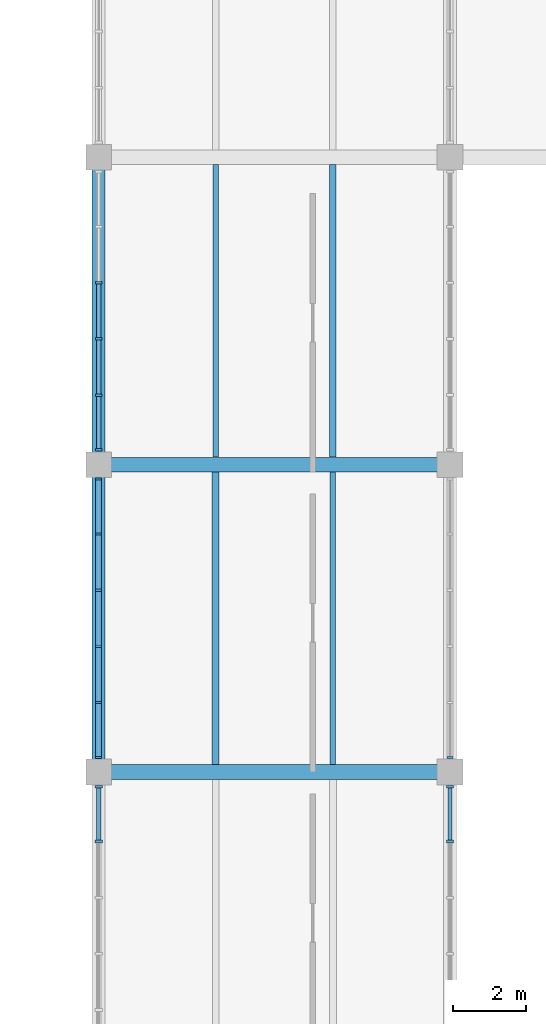
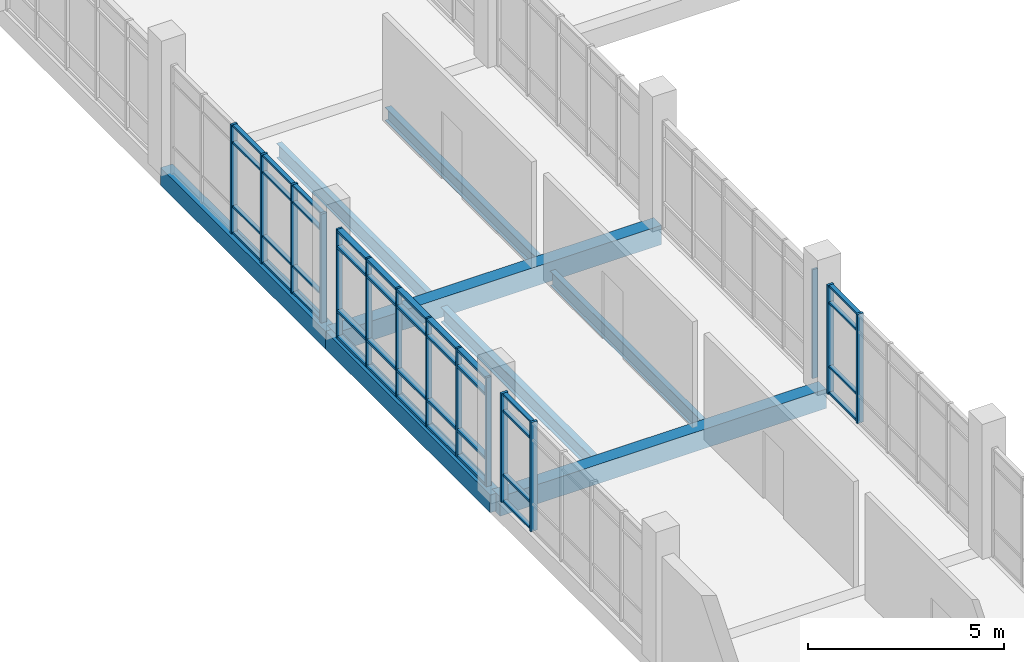
# One storey, part 11 of 57: 55 members, 8 beams, 5 elements without a shape of their own.
"""IFC4 building model written with IfcOpenShell, lengths in metres."""

from ifc_helpers import new_model, si_unit, direction, frame, origin, origin_2d, place, context, subcontext, project, spatial, rectangle, i_section, extrude, material, material_profile, profile_set, type_object, element, aggregate, save


model = new_model("IFC4")

# Units and contexts
model_context = context("Model", 3, precision=1e-05, world=origin(), true_north=direction((0.0, 1.0)))
body_context = subcontext(model_context, "Body", "Model", "MODEL_VIEW")
ifc_project = project(units=[si_unit("LENGTHUNIT", "METRE"), si_unit("AREAUNIT", "SQUARE_METRE"), si_unit("VOLUMEUNIT", "CUBIC_METRE"), si_unit("PLANEANGLEUNIT", "RADIAN"), si_unit("MASSUNIT", "GRAM", prefix="KILO")], contexts=[model_context])

# Site, building, storey
site_placement = place(None, origin())
site = spatial("IfcSite", under=ifc_project, at=site_placement, CompositionType="ELEMENT")
building_placement = place(site_placement, origin())
building = spatial("IfcBuilding", under=site, at=building_placement, Name="Oolite Switchyard Hospital", CompositionType="ELEMENT")
storey_placement = place(building_placement, frame((0.0, 0.0, 17.800048828125)))
storey = spatial("IfcBuildingStorey", under=building, at=storey_placement, Name="L04", CompositionType="ELEMENT", Elevation=17.800048828125)

# Beams
ifc_material_1 = material(Name="Concrete C40/50", Category="concrete")
ifc_material_profile_1 = material_profile(ifc_material_1, rectangle(XDim=0.35009765625, YDim=0.550048828125, at=origin_2d()), Name="RCB350X550")
ifc_profile_set_1 = profile_set([ifc_material_profile_1], Name="Concrete C40/50")
beam_type_1 = type_object("IfcBeamType", Name="BM-RC350X550", PredefinedType="BEAM", material=ifc_profile_set_1)
beam_1_placement = place(storey_placement, frame((134.39990234375, 42.0, -0.275146484375), z_axis=(0.0, 1.0, 0.0), x_axis=(-1.0, 0.0, 0.0)))
element("IfcBeam", 1, at=beam_1_placement, inside=storey, type_object=beam_type_1, Name="L04 Y-Girder 2980", PredefinedType="BEAM", context=body_context, shape_type="SweptSolid", body=[
    extrude(rectangle(XDim=0.35009765625, YDim=0.550048828125, at=origin_2d()), origin(), (0.0, 0.0, 1.0), 8.39990234375),
])
beam_2_placement = place(storey_placement, frame((134.39990234375, 50.39990234375, -0.275146484375), z_axis=(0.0, 1.0, 0.0), x_axis=(-1.0, 0.0, 0.0)))
element("IfcBeam", 2, at=beam_2_placement, inside=storey, type_object=beam_type_1, Name="L04 Y-Girder 2981", PredefinedType="BEAM", context=body_context, shape_type="SweptSolid", body=[
    extrude(rectangle(XDim=0.35009765625, YDim=0.550048828125, at=origin_2d()), origin(), (0.0, 0.0, 1.0), 8.400146484375),
])
ifc_material_profile_2 = material_profile(ifc_material_1, rectangle(XDim=0.39990234375, YDim=0.60009765625, at=origin_2d()), Name="RCB400X600")
ifc_profile_set_2 = profile_set([ifc_material_profile_2], Name="Concrete C40/50")
beam_type_2 = type_object("IfcBeamType", Name="BM-RC400X600", PredefinedType="BEAM", material=ifc_profile_set_2)
for number, where, z_axis, x_axis, name in (
    (3, (134.39990234375, 42.0, -0.300048828125), (1.0, 0.0, 0.0), (0.0, 1.0, 0.0), "L04 X-Girder 2788"),
    (4, (134.39990234375, 50.39990234375, -0.300048828125), (1.0, 0.0, 0.0), (0.0, 1.0, 0.0), "L04 X-Girder 2795"),
):
    element("IfcBeam", number, at=place(storey_placement, frame(where, z_axis=z_axis, x_axis=x_axis)), inside=storey, type_object=beam_type_2, Name=name, PredefinedType="BEAM", context=body_context, shape_type="SweptSolid", body=[
        extrude(rectangle(XDim=0.39990234375, YDim=0.60009765625, at=origin_2d()), origin(), (0.0, 0.0, 1.0), 9.60009765625),
    ])
ifc_material_2 = material(Name="Steel ASTM A992 Grade 50", Category="steel")
ifc_material_profile_3 = material_profile(ifc_material_2, i_section(OverallWidth=0.179931640625, OverallDepth=0.4130859375, WebThickness=0.010009765625, FlangeThickness=0.01611328125, at=origin_2d()), Name="W16X50")
ifc_profile_set_3 = profile_set([ifc_material_profile_3], Name="Steel ASTM A992 Grade 50")
beam_type_3 = type_object("IfcBeamType", Name="BM-W16X50", PredefinedType="JOIST", material=ifc_profile_set_3)
beam_3_placement = place(storey_placement, frame((140.800048828125, 50.60009765625, -0.48095703125), z_axis=(0.0, 1.0, 0.0), x_axis=(-1.0, 0.0, 0.0)))
element("IfcBeam", 5, at=beam_3_placement, inside=storey, type_object=beam_type_3, Name="L04 Secondary Steel Joist 3176", PredefinedType="JOIST", context=body_context, shape_type="SweptSolid", body=[
    extrude(i_section(OverallWidth=0.179931640625, OverallDepth=0.4130859375, WebThickness=0.010009765625, FlangeThickness=0.01611328125, at=origin_2d()), origin(), (0.0, 0.0, 1.0), 8.0),
])
ifc_material_profile_4 = material_profile(ifc_material_2, i_section(OverallWidth=0.153076171875, OverallDepth=0.455078125, WebThickness=0.008056640625, FlangeThickness=0.012939453125, at=origin_2d()), Name="W18X40")
ifc_profile_set_4 = profile_set([ifc_material_profile_4], Name="Steel ASTM A992 Grade 50")
beam_type_4 = type_object("IfcBeamType", Name="BM-W18X40", PredefinedType="JOIST", material=ifc_profile_set_4)
for number, where, z_axis, x_axis, name in (
    (6, (140.800048828125, 42.199951171875, -0.501953125), (0.0, 1.0, 0.0), (-1.0, 0.0, 0.0), "L04 Secondary Steel Joist 3174"),
    (7, (137.60009765625, 50.60009765625, -0.501953125), (0.0, 1.0, 0.0), (-1.0, 0.0, 0.0), "L04 Secondary Steel Joist 3175"),
):
    element("IfcBeam", number, at=place(storey_placement, frame(where, z_axis=z_axis, x_axis=x_axis)), inside=storey, type_object=beam_type_4, Name=name, PredefinedType="JOIST", context=body_context, shape_type="SweptSolid", body=[
        extrude(i_section(OverallWidth=0.153076171875, OverallDepth=0.455078125, WebThickness=0.008056640625, FlangeThickness=0.012939453125, at=origin_2d()), origin(), (0.0, 0.0, 1.0), 8.0),
    ])
ifc_material_profile_5 = material_profile(ifc_material_2, i_section(OverallWidth=0.19091796875, OverallDepth=0.4599609375, WebThickness=0.010009765625, FlangeThickness=0.01611328125, at=origin_2d()), Name="W18X55")
ifc_profile_set_5 = profile_set([ifc_material_profile_5], Name="Steel ASTM A992 Grade 50")
beam_type_5 = type_object("IfcBeamType", Name="BM-W18X55", PredefinedType="JOIST", material=ifc_profile_set_5)
beam_4_placement = place(storey_placement, frame((137.60009765625, 42.199951171875, -0.505126953125), z_axis=(0.0, 1.0, 0.0), x_axis=(-1.0, 0.0, 0.0)))
element("IfcBeam", 8, at=beam_4_placement, inside=storey, type_object=beam_type_5, Name="L04 Secondary Steel Joist 3173", PredefinedType="JOIST", context=body_context, shape_type="SweptSolid", body=[
    extrude(i_section(OverallWidth=0.19091796875, OverallDepth=0.4599609375, WebThickness=0.010009765625, FlangeThickness=0.01611328125, at=origin_2d()), origin(), (0.0, 0.0, 1.0), 8.0),
])

# Curtain wall, members
ifc_material_3 = material(Name="Thermally broken aluminum frame with laminated impact glazing", Category="aluminium")
curtain_wall_type = type_object("IfcCurtainWallType", Name="CW-UNIT-84X42", PredefinedType="USERDEFINED", material=ifc_material_3)
curtain_wall_1_placement = place(storey_placement, origin())
curtain_wall_1 = element("IfcCurtainWall", 9, at=curtain_wall_1_placement, inside=storey, type_object=curtain_wall_type, Name="L04 Unitised Curtain Wall 365", ObjectType="UNITISED", PredefinedType="USERDEFINED")
ifc_material_4 = material(Name="Aluminium 6063-T6", Category="aluminium")
ifc_material_profile_6 = material_profile(ifc_material_4, rectangle(XDim=0.159912109375, YDim=0.06005859375, at=origin_2d()), Name="CWM60X160")
ifc_profile_set_6 = profile_set([ifc_material_profile_6], Name="Aluminium 6063-T6")
member_type_1 = type_object("IfcMemberType", Name="CW-MUL-180", PredefinedType="MULLION", material=ifc_profile_set_6)
member_1_placement = place(storey_placement, frame((134.39990234375, 42.39501953125, 0.0), z_axis=(0.0, 0.0, 1.0), x_axis=(-1.0, 0.0, 0.0)))
member_1 = element("IfcMember", 10, at=member_1_placement, type_object=member_type_1, Name="CW-10 mullion 1", PredefinedType="MULLION", context=body_context, shape_type="SweptSolid", body=[
    extrude(rectangle(XDim=0.159912109375, YDim=0.06005859375, at=origin_2d()), origin(), (0.0, 0.0, 1.0), 3.389892578125),
])
member_2_placement = place(storey_placement, frame((134.39990234375, 43.89892578125, 0.0), z_axis=(0.0, 0.0, 1.0), x_axis=(-1.0, 0.0, 0.0)))
member_2 = element("IfcMember", 11, at=member_2_placement, type_object=member_type_1, Name="CW-10 mullion 2", PredefinedType="MULLION", context=body_context, shape_type="SweptSolid", body=[
    extrude(rectangle(XDim=0.159912109375, YDim=0.06005859375, at=origin_2d()), origin(), (0.0, 0.0, 1.0), 3.389892578125),
])
member_3_placement = place(storey_placement, frame((134.39990234375, 45.43310546875, 0.0), z_axis=(0.0, 0.0, 1.0), x_axis=(-1.0, 0.0, 0.0)))
member_3 = element("IfcMember", 12, at=member_3_placement, type_object=member_type_1, Name="CW-10 mullion 3", PredefinedType="MULLION", context=body_context, shape_type="SweptSolid", body=[
    extrude(rectangle(XDim=0.159912109375, YDim=0.06005859375, at=origin_2d()), origin(), (0.0, 0.0, 1.0), 3.389892578125),
])
member_4_placement = place(storey_placement, frame((134.39990234375, 46.967041015625, 0.0), z_axis=(0.0, 0.0, 1.0), x_axis=(-1.0, 0.0, 0.0)))
member_4 = element("IfcMember", 13, at=member_4_placement, type_object=member_type_1, Name="CW-10 mullion 4", PredefinedType="MULLION", context=body_context, shape_type="SweptSolid", body=[
    extrude(rectangle(XDim=0.159912109375, YDim=0.06005859375, at=origin_2d()), origin(), (0.0, 0.0, 1.0), 3.389892578125),
])
member_5_placement = place(storey_placement, frame((134.39990234375, 48.5009765625, 0.0), z_axis=(0.0, 0.0, 1.0), x_axis=(-1.0, 0.0, 0.0)))
member_5 = element("IfcMember", 14, at=member_5_placement, type_object=member_type_1, Name="CW-10 mullion 5", PredefinedType="MULLION", context=body_context, shape_type="SweptSolid", body=[
    extrude(rectangle(XDim=0.159912109375, YDim=0.06005859375, at=origin_2d()), origin(), (0.0, 0.0, 1.0), 3.389892578125),
])
member_6_placement = place(storey_placement, frame((134.39990234375, 50.0048828125, 0.0), z_axis=(0.0, 0.0, 1.0), x_axis=(-1.0, 0.0, 0.0)))
member_6 = element("IfcMember", 15, at=member_6_placement, type_object=member_type_1, Name="CW-10 mullion 6", PredefinedType="MULLION", context=body_context, shape_type="SweptSolid", body=[
    extrude(rectangle(XDim=0.159912109375, YDim=0.06005859375, at=origin_2d()), origin(), (0.0, 0.0, 1.0), 3.389892578125),
])

# Curtain wall, member
curtain_wall_2_placement = place(storey_placement, origin())
curtain_wall_2 = element("IfcCurtainWall", 16, at=curtain_wall_2_placement, inside=storey, type_object=curtain_wall_type, Name="L04 Unitised Curtain Wall 371", ObjectType="UNITISED", PredefinedType="USERDEFINED")
member_7_placement = place(storey_placement, frame((144.0, 42.39501953125, 0.0), z_axis=(0.0, 0.0, 1.0), x_axis=(1.0, 0.0, 0.0)))
member_7 = element("IfcMember", 17, at=member_7_placement, type_object=member_type_1, Name="CW-10 mullion 6", PredefinedType="MULLION", context=body_context, shape_type="SweptSolid", body=[
    extrude(rectangle(XDim=0.159912109375, YDim=0.06005859375, at=origin_2d()), origin(), (0.0, 0.0, 1.0), 3.389892578125),
])
aggregate(curtain_wall_2, [member_7])

# Curtain wall, members
curtain_wall_3_placement = place(storey_placement, origin())
curtain_wall_3 = element("IfcCurtainWall", 18, at=curtain_wall_3_placement, inside=storey, type_object=curtain_wall_type, Name="L04 Unitised Curtain Wall 366", ObjectType="UNITISED", PredefinedType="USERDEFINED")
ifc_material_profile_7 = material_profile(ifc_material_4, rectangle(XDim=0.179931640625, YDim=0.070068359375, at=origin_2d()), Name="CWM70X180")
ifc_profile_set_7 = profile_set([ifc_material_profile_7], Name="Aluminium 6063-T6")
member_type_2 = type_object("IfcMemberType", Name="CW-MUL-220", PredefinedType="MULLION", material=ifc_profile_set_7)
member_8_placement = place(storey_placement, frame((134.39990234375, 50.800048828125, 0.0), z_axis=(0.0, 0.0, 1.0), x_axis=(-1.0, 0.0, 0.0)))
member_8 = element("IfcMember", 19, at=member_8_placement, type_object=member_type_2, Name="CW-10 mullion 1", PredefinedType="MULLION", context=body_context, shape_type="SweptSolid", body=[
    extrude(rectangle(XDim=0.179931640625, YDim=0.070068359375, at=origin_2d()), origin(), (0.0, 0.0, 1.0), 3.389892578125),
])
member_9_placement = place(storey_placement, frame((134.39990234375, 52.299072265625, 0.0), z_axis=(0.0, 0.0, 1.0), x_axis=(-1.0, 0.0, 0.0)))
member_9 = element("IfcMember", 20, at=member_9_placement, type_object=member_type_2, Name="CW-10 mullion 2", PredefinedType="MULLION", context=body_context, shape_type="SweptSolid", body=[
    extrude(rectangle(XDim=0.179931640625, YDim=0.070068359375, at=origin_2d()), origin(), (0.0, 0.0, 1.0), 3.389892578125),
])
member_10_placement = place(storey_placement, frame((134.39990234375, 53.8330078125, 0.0), z_axis=(0.0, 0.0, 1.0), x_axis=(-1.0, 0.0, 0.0)))
member_10 = element("IfcMember", 21, at=member_10_placement, type_object=member_type_2, Name="CW-10 mullion 3", PredefinedType="MULLION", context=body_context, shape_type="SweptSolid", body=[
    extrude(rectangle(XDim=0.179931640625, YDim=0.070068359375, at=origin_2d()), origin(), (0.0, 0.0, 1.0), 3.389892578125),
])
member_11_placement = place(storey_placement, frame((134.39990234375, 55.366943359375, 0.0), z_axis=(0.0, 0.0, 1.0), x_axis=(-1.0, 0.0, 0.0)))
member_11 = element("IfcMember", 22, at=member_11_placement, type_object=member_type_2, Name="CW-10 mullion 4", PredefinedType="MULLION", context=body_context, shape_type="SweptSolid", body=[
    extrude(rectangle(XDim=0.179931640625, YDim=0.070068359375, at=origin_2d()), origin(), (0.0, 0.0, 1.0), 3.389892578125),
])

curtain_wall_4_placement = place(storey_placement, origin())
curtain_wall_4 = element("IfcCurtainWall", 23, at=curtain_wall_4_placement, inside=storey, type_object=curtain_wall_type, Name="L04 Unitised Curtain Wall 372", ObjectType="UNITISED", PredefinedType="USERDEFINED")
member_12_placement = place(storey_placement, frame((144.0, 41.60009765625, 0.0), z_axis=(0.0, 0.0, 1.0), x_axis=(1.0, 0.0, 0.0)))
member_12 = element("IfcMember", 24, at=member_12_placement, type_object=member_type_2, Name="CW-10 mullion 1", PredefinedType="MULLION", context=body_context, shape_type="SweptSolid", body=[
    extrude(rectangle(XDim=0.179931640625, YDim=0.070068359375, at=origin_2d()), origin(), (0.0, 0.0, 1.0), 3.389892578125),
])
member_13_placement = place(storey_placement, frame((144.0, 40.10107421875, 0.0), z_axis=(0.0, 0.0, 1.0), x_axis=(1.0, 0.0, 0.0)))
member_13 = element("IfcMember", 25, at=member_13_placement, type_object=member_type_2, Name="CW-10 mullion 2", PredefinedType="MULLION", context=body_context, shape_type="SweptSolid", body=[
    extrude(rectangle(XDim=0.179931640625, YDim=0.070068359375, at=origin_2d()), origin(), (0.0, 0.0, 1.0), 3.389892578125),
])

curtain_wall_5_placement = place(storey_placement, origin())
curtain_wall_5 = element("IfcCurtainWall", 26, at=curtain_wall_5_placement, inside=storey, type_object=curtain_wall_type, Name="L04 Unitised Curtain Wall 364", ObjectType="UNITISED", PredefinedType="USERDEFINED")
ifc_material_profile_8 = material_profile(ifc_material_4, rectangle(XDim=0.199951171875, YDim=0.074951171875, at=origin_2d()), Name="CWM75X200")
ifc_profile_set_8 = profile_set([ifc_material_profile_8], Name="Aluminium 6063-T6")
member_type_3 = type_object("IfcMemberType", Name="CW-MUL-260", PredefinedType="MULLION", material=ifc_profile_set_8)
member_14_placement = place(storey_placement, frame((134.39990234375, 40.10107421875, 0.0), z_axis=(0.0, 0.0, 1.0), x_axis=(-1.0, 0.0, 0.0)))
member_14 = element("IfcMember", 27, at=member_14_placement, type_object=member_type_3, Name="CW-10 mullion 5", PredefinedType="MULLION", context=body_context, shape_type="SweptSolid", body=[
    extrude(rectangle(XDim=0.199951171875, YDim=0.074951171875, at=origin_2d()), origin(), (0.0, 0.0, 1.0), 3.389892578125),
])
member_15_placement = place(storey_placement, frame((134.39990234375, 41.597412109375, 0.0), z_axis=(0.0, 0.0, 1.0), x_axis=(-1.0, 0.0, 0.0)))
member_15 = element("IfcMember", 28, at=member_15_placement, type_object=member_type_3, Name="CW-10 mullion 6", PredefinedType="MULLION", context=body_context, shape_type="SweptSolid", body=[
    extrude(rectangle(XDim=0.199951171875, YDim=0.074951171875, at=origin_2d()), origin(), (0.0, 0.0, 1.0), 3.389892578125),
])
ifc_material_profile_9 = material_profile(ifc_material_4, rectangle(XDim=0.1201171875, YDim=0.06005859375, at=origin_2d()), Name="CWT60X120")
ifc_profile_set_9 = profile_set([ifc_material_profile_9], Name="Aluminium 6063-T6")
member_type_4 = type_object("IfcMemberType", Name="CW-TRN-150", PredefinedType="USERDEFINED", material=ifc_profile_set_9)
member_16_placement = place(storey_placement, frame((134.39990234375, 40.138427734375, 0.030029296875), z_axis=(0.0, 1.0, 0.0), x_axis=(-1.0, 0.0, 0.0)))
member_16 = element("IfcMember", 29, at=member_16_placement, type_object=member_type_4, Name="CW-10 transom 5.1", ObjectType="TRANSOM", PredefinedType="USERDEFINED", context=body_context, shape_type="SweptSolid", body=[
    extrude(rectangle(XDim=0.1201171875, YDim=0.06005859375, at=origin_2d()), origin(), (0.0, 0.0, 1.0), 1.421630859375),
])
member_17_placement = place(storey_placement, frame((134.39990234375, 40.138427734375, 0.849853515625), z_axis=(0.0, 1.0, 0.0), x_axis=(-1.0, 0.0, 0.0)))
member_17 = element("IfcMember", 30, at=member_17_placement, type_object=member_type_4, Name="CW-10 transom 5.2", ObjectType="TRANSOM", PredefinedType="USERDEFINED", context=body_context, shape_type="SweptSolid", body=[
    extrude(rectangle(XDim=0.1201171875, YDim=0.06005859375, at=origin_2d()), origin(), (0.0, 0.0, 1.0), 1.421630859375),
])
member_18_placement = place(storey_placement, frame((134.39990234375, 40.138427734375, 2.83984375), z_axis=(0.0, 1.0, 0.0), x_axis=(-1.0, 0.0, 0.0)))
member_18 = element("IfcMember", 31, at=member_18_placement, type_object=member_type_4, Name="CW-10 transom 5.3", ObjectType="TRANSOM", PredefinedType="USERDEFINED", context=body_context, shape_type="SweptSolid", body=[
    extrude(rectangle(XDim=0.1201171875, YDim=0.06005859375, at=origin_2d()), origin(), (0.0, 0.0, 1.0), 1.421630859375),
])
member_19_placement = place(storey_placement, frame((134.39990234375, 40.138427734375, 3.35986328125), z_axis=(0.0, 1.0, 0.0), x_axis=(-1.0, 0.0, 0.0)))
member_19 = element("IfcMember", 32, at=member_19_placement, type_object=member_type_4, Name="CW-10 transom 5.4", ObjectType="TRANSOM", PredefinedType="USERDEFINED", context=body_context, shape_type="SweptSolid", body=[
    extrude(rectangle(XDim=0.1201171875, YDim=0.06005859375, at=origin_2d()), origin(), (0.0, 0.0, 1.0), 1.421630859375),
])
aggregate(curtain_wall_5, [member_14, member_15, member_16, member_17, member_18, member_19])

# Member
member_20_placement = place(storey_placement, frame((134.39990234375, 50.8349609375, 0.030029296875), z_axis=(0.0, 1.0, 0.0), x_axis=(-1.0, 0.0, 0.0)))
member_20 = element("IfcMember", 33, at=member_20_placement, type_object=member_type_4, Name="CW-10 transom 1.1", ObjectType="TRANSOM", PredefinedType="USERDEFINED", context=body_context, shape_type="SweptSolid", body=[
    extrude(rectangle(XDim=0.1201171875, YDim=0.06005859375, at=origin_2d()), origin(), (0.0, 0.0, 1.0), 1.428955078125),
])

member_21_placement = place(storey_placement, frame((134.39990234375, 50.8349609375, 0.849853515625), z_axis=(0.0, 1.0, 0.0), x_axis=(-1.0, 0.0, 0.0)))
member_21 = element("IfcMember", 34, at=member_21_placement, type_object=member_type_4, Name="CW-10 transom 1.2", ObjectType="TRANSOM", PredefinedType="USERDEFINED", context=body_context, shape_type="SweptSolid", body=[
    extrude(rectangle(XDim=0.1201171875, YDim=0.06005859375, at=origin_2d()), origin(), (0.0, 0.0, 1.0), 1.428955078125),
])

member_22_placement = place(storey_placement, frame((134.39990234375, 50.8349609375, 2.83984375), z_axis=(0.0, 1.0, 0.0), x_axis=(-1.0, 0.0, 0.0)))
member_22 = element("IfcMember", 35, at=member_22_placement, type_object=member_type_4, Name="CW-10 transom 1.3", ObjectType="TRANSOM", PredefinedType="USERDEFINED", context=body_context, shape_type="SweptSolid", body=[
    extrude(rectangle(XDim=0.1201171875, YDim=0.06005859375, at=origin_2d()), origin(), (0.0, 0.0, 1.0), 1.428955078125),
])

member_23_placement = place(storey_placement, frame((134.39990234375, 50.8349609375, 3.35986328125), z_axis=(0.0, 1.0, 0.0), x_axis=(-1.0, 0.0, 0.0)))
member_23 = element("IfcMember", 36, at=member_23_placement, type_object=member_type_4, Name="CW-10 transom 1.4", ObjectType="TRANSOM", PredefinedType="USERDEFINED", context=body_context, shape_type="SweptSolid", body=[
    extrude(rectangle(XDim=0.1201171875, YDim=0.06005859375, at=origin_2d()), origin(), (0.0, 0.0, 1.0), 1.428955078125),
])

member_24_placement = place(storey_placement, frame((134.39990234375, 52.333984375, 0.030029296875), z_axis=(0.0, 1.0, 0.0), x_axis=(-1.0, 0.0, 0.0)))
member_24 = element("IfcMember", 37, at=member_24_placement, type_object=member_type_4, Name="CW-10 transom 2.1", ObjectType="TRANSOM", PredefinedType="USERDEFINED", context=body_context, shape_type="SweptSolid", body=[
    extrude(rectangle(XDim=0.1201171875, YDim=0.06005859375, at=origin_2d()), origin(), (0.0, 0.0, 1.0), 1.464111328125),
])

member_25_placement = place(storey_placement, frame((134.39990234375, 52.333984375, 0.849853515625), z_axis=(0.0, 1.0, 0.0), x_axis=(-1.0, 0.0, 0.0)))
member_25 = element("IfcMember", 38, at=member_25_placement, type_object=member_type_4, Name="CW-10 transom 2.2", ObjectType="TRANSOM", PredefinedType="USERDEFINED", context=body_context, shape_type="SweptSolid", body=[
    extrude(rectangle(XDim=0.1201171875, YDim=0.06005859375, at=origin_2d()), origin(), (0.0, 0.0, 1.0), 1.464111328125),
])

member_26_placement = place(storey_placement, frame((134.39990234375, 52.333984375, 2.83984375), z_axis=(0.0, 1.0, 0.0), x_axis=(-1.0, 0.0, 0.0)))
member_26 = element("IfcMember", 39, at=member_26_placement, type_object=member_type_4, Name="CW-10 transom 2.3", ObjectType="TRANSOM", PredefinedType="USERDEFINED", context=body_context, shape_type="SweptSolid", body=[
    extrude(rectangle(XDim=0.1201171875, YDim=0.06005859375, at=origin_2d()), origin(), (0.0, 0.0, 1.0), 1.464111328125),
])

member_27_placement = place(storey_placement, frame((134.39990234375, 52.333984375, 3.35986328125), z_axis=(0.0, 1.0, 0.0), x_axis=(-1.0, 0.0, 0.0)))
member_27 = element("IfcMember", 40, at=member_27_placement, type_object=member_type_4, Name="CW-10 transom 2.4", ObjectType="TRANSOM", PredefinedType="USERDEFINED", context=body_context, shape_type="SweptSolid", body=[
    extrude(rectangle(XDim=0.1201171875, YDim=0.06005859375, at=origin_2d()), origin(), (0.0, 0.0, 1.0), 1.464111328125),
])

member_28_placement = place(storey_placement, frame((134.39990234375, 53.867919921875, 0.030029296875), z_axis=(0.0, 1.0, 0.0), x_axis=(-1.0, 0.0, 0.0)))
member_28 = element("IfcMember", 41, at=member_28_placement, type_object=member_type_4, Name="CW-10 transom 3.1", ObjectType="TRANSOM", PredefinedType="USERDEFINED", context=body_context, shape_type="SweptSolid", body=[
    extrude(rectangle(XDim=0.1201171875, YDim=0.06005859375, at=origin_2d()), origin(), (0.0, 0.0, 1.0), 1.464111328125),
])

member_29_placement = place(storey_placement, frame((134.39990234375, 53.867919921875, 0.849853515625), z_axis=(0.0, 1.0, 0.0), x_axis=(-1.0, 0.0, 0.0)))
member_29 = element("IfcMember", 42, at=member_29_placement, type_object=member_type_4, Name="CW-10 transom 3.2", ObjectType="TRANSOM", PredefinedType="USERDEFINED", context=body_context, shape_type="SweptSolid", body=[
    extrude(rectangle(XDim=0.1201171875, YDim=0.06005859375, at=origin_2d()), origin(), (0.0, 0.0, 1.0), 1.464111328125),
])

member_30_placement = place(storey_placement, frame((134.39990234375, 53.867919921875, 2.83984375), z_axis=(0.0, 1.0, 0.0), x_axis=(-1.0, 0.0, 0.0)))
member_30 = element("IfcMember", 43, at=member_30_placement, type_object=member_type_4, Name="CW-10 transom 3.3", ObjectType="TRANSOM", PredefinedType="USERDEFINED", context=body_context, shape_type="SweptSolid", body=[
    extrude(rectangle(XDim=0.1201171875, YDim=0.06005859375, at=origin_2d()), origin(), (0.0, 0.0, 1.0), 1.464111328125),
])

member_31_placement = place(storey_placement, frame((134.39990234375, 53.867919921875, 3.35986328125), z_axis=(0.0, 1.0, 0.0), x_axis=(-1.0, 0.0, 0.0)))
member_31 = element("IfcMember", 44, at=member_31_placement, type_object=member_type_4, Name="CW-10 transom 3.4", ObjectType="TRANSOM", PredefinedType="USERDEFINED", context=body_context, shape_type="SweptSolid", body=[
    extrude(rectangle(XDim=0.1201171875, YDim=0.06005859375, at=origin_2d()), origin(), (0.0, 0.0, 1.0), 1.464111328125),
])

aggregate(curtain_wall_3, [member_8, member_9, member_10, member_11, member_20, member_21, member_22, member_23, member_24, member_25, member_26, member_27, member_28, member_29, member_30, member_31])

member_32_placement = place(storey_placement, frame((144.0, 41.56494140625, 0.030029296875), z_axis=(0.0, -1.0, 0.0), x_axis=(1.0, 0.0, 0.0)))
member_32 = element("IfcMember", 45, at=member_32_placement, type_object=member_type_4, Name="CW-10 transom 1.1", ObjectType="TRANSOM", PredefinedType="USERDEFINED", context=body_context, shape_type="SweptSolid", body=[
    extrude(rectangle(XDim=0.1201171875, YDim=0.06005859375, at=origin_2d()), origin(), (0.0, 0.0, 1.0), 1.428955078125),
])

member_33_placement = place(storey_placement, frame((144.0, 41.56494140625, 0.849853515625), z_axis=(0.0, -1.0, 0.0), x_axis=(1.0, 0.0, 0.0)))
member_33 = element("IfcMember", 46, at=member_33_placement, type_object=member_type_4, Name="CW-10 transom 1.2", ObjectType="TRANSOM", PredefinedType="USERDEFINED", context=body_context, shape_type="SweptSolid", body=[
    extrude(rectangle(XDim=0.1201171875, YDim=0.06005859375, at=origin_2d()), origin(), (0.0, 0.0, 1.0), 1.428955078125),
])

member_34_placement = place(storey_placement, frame((144.0, 41.56494140625, 2.83984375), z_axis=(0.0, -1.0, 0.0), x_axis=(1.0, 0.0, 0.0)))
member_34 = element("IfcMember", 47, at=member_34_placement, type_object=member_type_4, Name="CW-10 transom 1.3", ObjectType="TRANSOM", PredefinedType="USERDEFINED", context=body_context, shape_type="SweptSolid", body=[
    extrude(rectangle(XDim=0.1201171875, YDim=0.06005859375, at=origin_2d()), origin(), (0.0, 0.0, 1.0), 1.428955078125),
])

member_35_placement = place(storey_placement, frame((144.0, 41.56494140625, 3.35986328125), z_axis=(0.0, -1.0, 0.0), x_axis=(1.0, 0.0, 0.0)))
member_35 = element("IfcMember", 48, at=member_35_placement, type_object=member_type_4, Name="CW-10 transom 1.4", ObjectType="TRANSOM", PredefinedType="USERDEFINED", context=body_context, shape_type="SweptSolid", body=[
    extrude(rectangle(XDim=0.1201171875, YDim=0.06005859375, at=origin_2d()), origin(), (0.0, 0.0, 1.0), 1.428955078125),
])

aggregate(curtain_wall_4, [member_12, member_13, member_32, member_33, member_34, member_35])

ifc_material_profile_10 = material_profile(ifc_material_4, rectangle(XDim=0.159912109375, YDim=0.074951171875, at=origin_2d()), Name="CWT75X160")
ifc_profile_set_10 = profile_set([ifc_material_profile_10], Name="Aluminium 6063-T6")
member_type_5 = type_object("IfcMemberType", Name="CW-TRN-180", PredefinedType="USERDEFINED", material=ifc_profile_set_10)
member_36_placement = place(storey_placement, frame((134.39990234375, 42.425048828125, 0.037353515625), z_axis=(0.0, 1.0, 0.0), x_axis=(-1.0, 0.0, 0.0)))
member_36 = element("IfcMember", 49, at=member_36_placement, type_object=member_type_5, Name="CW-10 transom 1.1", ObjectType="TRANSOM", PredefinedType="USERDEFINED", context=body_context, shape_type="SweptSolid", body=[
    extrude(rectangle(XDim=0.159912109375, YDim=0.074951171875, at=origin_2d()), origin(), (0.0, 0.0, 1.0), 1.44384765625),
])

member_37_placement = place(storey_placement, frame((134.39990234375, 42.425048828125, 0.849853515625), z_axis=(0.0, 1.0, 0.0), x_axis=(-1.0, 0.0, 0.0)))
member_37 = element("IfcMember", 50, at=member_37_placement, type_object=member_type_5, Name="CW-10 transom 1.2", ObjectType="TRANSOM", PredefinedType="USERDEFINED", context=body_context, shape_type="SweptSolid", body=[
    extrude(rectangle(XDim=0.159912109375, YDim=0.074951171875, at=origin_2d()), origin(), (0.0, 0.0, 1.0), 1.44384765625),
])

member_38_placement = place(storey_placement, frame((134.39990234375, 42.425048828125, 2.83984375), z_axis=(0.0, 1.0, 0.0), x_axis=(-1.0, 0.0, 0.0)))
member_38 = element("IfcMember", 51, at=member_38_placement, type_object=member_type_5, Name="CW-10 transom 1.3", ObjectType="TRANSOM", PredefinedType="USERDEFINED", context=body_context, shape_type="SweptSolid", body=[
    extrude(rectangle(XDim=0.159912109375, YDim=0.074951171875, at=origin_2d()), origin(), (0.0, 0.0, 1.0), 1.44384765625),
])

member_39_placement = place(storey_placement, frame((134.39990234375, 42.425048828125, 3.3525390625), z_axis=(0.0, 1.0, 0.0), x_axis=(-1.0, 0.0, 0.0)))
member_39 = element("IfcMember", 52, at=member_39_placement, type_object=member_type_5, Name="CW-10 transom 1.4", ObjectType="TRANSOM", PredefinedType="USERDEFINED", context=body_context, shape_type="SweptSolid", body=[
    extrude(rectangle(XDim=0.159912109375, YDim=0.074951171875, at=origin_2d()), origin(), (0.0, 0.0, 1.0), 1.44384765625),
])

member_40_placement = place(storey_placement, frame((134.39990234375, 43.928955078125, 0.037353515625), z_axis=(0.0, 1.0, 0.0), x_axis=(-1.0, 0.0, 0.0)))
member_40 = element("IfcMember", 53, at=member_40_placement, type_object=member_type_5, Name="CW-10 transom 2.1", ObjectType="TRANSOM", PredefinedType="USERDEFINED", context=body_context, shape_type="SweptSolid", body=[
    extrude(rectangle(XDim=0.159912109375, YDim=0.074951171875, at=origin_2d()), origin(), (0.0, 0.0, 1.0), 1.47412109375),
])

member_41_placement = place(storey_placement, frame((134.39990234375, 43.928955078125, 0.849853515625), z_axis=(0.0, 1.0, 0.0), x_axis=(-1.0, 0.0, 0.0)))
member_41 = element("IfcMember", 54, at=member_41_placement, type_object=member_type_5, Name="CW-10 transom 2.2", ObjectType="TRANSOM", PredefinedType="USERDEFINED", context=body_context, shape_type="SweptSolid", body=[
    extrude(rectangle(XDim=0.159912109375, YDim=0.074951171875, at=origin_2d()), origin(), (0.0, 0.0, 1.0), 1.47412109375),
])

member_42_placement = place(storey_placement, frame((134.39990234375, 43.928955078125, 2.83984375), z_axis=(0.0, 1.0, 0.0), x_axis=(-1.0, 0.0, 0.0)))
member_42 = element("IfcMember", 55, at=member_42_placement, type_object=member_type_5, Name="CW-10 transom 2.3", ObjectType="TRANSOM", PredefinedType="USERDEFINED", context=body_context, shape_type="SweptSolid", body=[
    extrude(rectangle(XDim=0.159912109375, YDim=0.074951171875, at=origin_2d()), origin(), (0.0, 0.0, 1.0), 1.47412109375),
])

member_43_placement = place(storey_placement, frame((134.39990234375, 43.928955078125, 3.3525390625), z_axis=(0.0, 1.0, 0.0), x_axis=(-1.0, 0.0, 0.0)))
member_43 = element("IfcMember", 56, at=member_43_placement, type_object=member_type_5, Name="CW-10 transom 2.4", ObjectType="TRANSOM", PredefinedType="USERDEFINED", context=body_context, shape_type="SweptSolid", body=[
    extrude(rectangle(XDim=0.159912109375, YDim=0.074951171875, at=origin_2d()), origin(), (0.0, 0.0, 1.0), 1.47412109375),
])

member_44_placement = place(storey_placement, frame((134.39990234375, 45.462890625, 0.037353515625), z_axis=(0.0, 1.0, 0.0), x_axis=(-1.0, 0.0, 0.0)))
member_44 = element("IfcMember", 57, at=member_44_placement, type_object=member_type_5, Name="CW-10 transom 3.1", ObjectType="TRANSOM", PredefinedType="USERDEFINED", context=body_context, shape_type="SweptSolid", body=[
    extrude(rectangle(XDim=0.159912109375, YDim=0.074951171875, at=origin_2d()), origin(), (0.0, 0.0, 1.0), 1.47412109375),
])

member_45_placement = place(storey_placement, frame((134.39990234375, 45.462890625, 0.849853515625), z_axis=(0.0, 1.0, 0.0), x_axis=(-1.0, 0.0, 0.0)))
member_45 = element("IfcMember", 58, at=member_45_placement, type_object=member_type_5, Name="CW-10 transom 3.2", ObjectType="TRANSOM", PredefinedType="USERDEFINED", context=body_context, shape_type="SweptSolid", body=[
    extrude(rectangle(XDim=0.159912109375, YDim=0.074951171875, at=origin_2d()), origin(), (0.0, 0.0, 1.0), 1.47412109375),
])

member_46_placement = place(storey_placement, frame((134.39990234375, 45.462890625, 2.83984375), z_axis=(0.0, 1.0, 0.0), x_axis=(-1.0, 0.0, 0.0)))
member_46 = element("IfcMember", 59, at=member_46_placement, type_object=member_type_5, Name="CW-10 transom 3.3", ObjectType="TRANSOM", PredefinedType="USERDEFINED", context=body_context, shape_type="SweptSolid", body=[
    extrude(rectangle(XDim=0.159912109375, YDim=0.074951171875, at=origin_2d()), origin(), (0.0, 0.0, 1.0), 1.47412109375),
])

member_47_placement = place(storey_placement, frame((134.39990234375, 45.462890625, 3.3525390625), z_axis=(0.0, 1.0, 0.0), x_axis=(-1.0, 0.0, 0.0)))
member_47 = element("IfcMember", 60, at=member_47_placement, type_object=member_type_5, Name="CW-10 transom 3.4", ObjectType="TRANSOM", PredefinedType="USERDEFINED", context=body_context, shape_type="SweptSolid", body=[
    extrude(rectangle(XDim=0.159912109375, YDim=0.074951171875, at=origin_2d()), origin(), (0.0, 0.0, 1.0), 1.47412109375),
])

member_48_placement = place(storey_placement, frame((134.39990234375, 46.9970703125, 0.037353515625), z_axis=(0.0, 1.0, 0.0), x_axis=(-1.0, 0.0, 0.0)))
member_48 = element("IfcMember", 61, at=member_48_placement, type_object=member_type_5, Name="CW-10 transom 4.1", ObjectType="TRANSOM", PredefinedType="USERDEFINED", context=body_context, shape_type="SweptSolid", body=[
    extrude(rectangle(XDim=0.159912109375, YDim=0.074951171875, at=origin_2d()), origin(), (0.0, 0.0, 1.0), 1.473876953125),
])

member_49_placement = place(storey_placement, frame((134.39990234375, 46.9970703125, 0.849853515625), z_axis=(0.0, 1.0, 0.0), x_axis=(-1.0, 0.0, 0.0)))
member_49 = element("IfcMember", 62, at=member_49_placement, type_object=member_type_5, Name="CW-10 transom 4.2", ObjectType="TRANSOM", PredefinedType="USERDEFINED", context=body_context, shape_type="SweptSolid", body=[
    extrude(rectangle(XDim=0.159912109375, YDim=0.074951171875, at=origin_2d()), origin(), (0.0, 0.0, 1.0), 1.473876953125),
])

member_50_placement = place(storey_placement, frame((134.39990234375, 46.9970703125, 2.83984375), z_axis=(0.0, 1.0, 0.0), x_axis=(-1.0, 0.0, 0.0)))
member_50 = element("IfcMember", 63, at=member_50_placement, type_object=member_type_5, Name="CW-10 transom 4.3", ObjectType="TRANSOM", PredefinedType="USERDEFINED", context=body_context, shape_type="SweptSolid", body=[
    extrude(rectangle(XDim=0.159912109375, YDim=0.074951171875, at=origin_2d()), origin(), (0.0, 0.0, 1.0), 1.473876953125),
])

member_51_placement = place(storey_placement, frame((134.39990234375, 46.9970703125, 3.3525390625), z_axis=(0.0, 1.0, 0.0), x_axis=(-1.0, 0.0, 0.0)))
member_51 = element("IfcMember", 64, at=member_51_placement, type_object=member_type_5, Name="CW-10 transom 4.4", ObjectType="TRANSOM", PredefinedType="USERDEFINED", context=body_context, shape_type="SweptSolid", body=[
    extrude(rectangle(XDim=0.159912109375, YDim=0.074951171875, at=origin_2d()), origin(), (0.0, 0.0, 1.0), 1.473876953125),
])

member_52_placement = place(storey_placement, frame((134.39990234375, 48.531005859375, 0.037353515625), z_axis=(0.0, 1.0, 0.0), x_axis=(-1.0, 0.0, 0.0)))
member_52 = element("IfcMember", 65, at=member_52_placement, type_object=member_type_5, Name="CW-10 transom 5.1", ObjectType="TRANSOM", PredefinedType="USERDEFINED", context=body_context, shape_type="SweptSolid", body=[
    extrude(rectangle(XDim=0.159912109375, YDim=0.074951171875, at=origin_2d()), origin(), (0.0, 0.0, 1.0), 1.444091796875),
])

member_53_placement = place(storey_placement, frame((134.39990234375, 48.531005859375, 0.849853515625), z_axis=(0.0, 1.0, 0.0), x_axis=(-1.0, 0.0, 0.0)))
member_53 = element("IfcMember", 66, at=member_53_placement, type_object=member_type_5, Name="CW-10 transom 5.2", ObjectType="TRANSOM", PredefinedType="USERDEFINED", context=body_context, shape_type="SweptSolid", body=[
    extrude(rectangle(XDim=0.159912109375, YDim=0.074951171875, at=origin_2d()), origin(), (0.0, 0.0, 1.0), 1.444091796875),
])

member_54_placement = place(storey_placement, frame((134.39990234375, 48.531005859375, 2.83984375), z_axis=(0.0, 1.0, 0.0), x_axis=(-1.0, 0.0, 0.0)))
member_54 = element("IfcMember", 67, at=member_54_placement, type_object=member_type_5, Name="CW-10 transom 5.3", ObjectType="TRANSOM", PredefinedType="USERDEFINED", context=body_context, shape_type="SweptSolid", body=[
    extrude(rectangle(XDim=0.159912109375, YDim=0.074951171875, at=origin_2d()), origin(), (0.0, 0.0, 1.0), 1.444091796875),
])

member_55_placement = place(storey_placement, frame((134.39990234375, 48.531005859375, 3.3525390625), z_axis=(0.0, 1.0, 0.0), x_axis=(-1.0, 0.0, 0.0)))
member_55 = element("IfcMember", 68, at=member_55_placement, type_object=member_type_5, Name="CW-10 transom 5.4", ObjectType="TRANSOM", PredefinedType="USERDEFINED", context=body_context, shape_type="SweptSolid", body=[
    extrude(rectangle(XDim=0.159912109375, YDim=0.074951171875, at=origin_2d()), origin(), (0.0, 0.0, 1.0), 1.444091796875),
])

aggregate(curtain_wall_1, [member_1, member_2, member_3, member_4, member_5, member_6, member_36, member_37, member_38, member_39, member_40, member_41, member_42, member_43, member_44, member_45, member_46, member_47, member_48, member_49, member_50, member_51, member_52, member_53, member_54, member_55])

save(model, "model.ifc")
